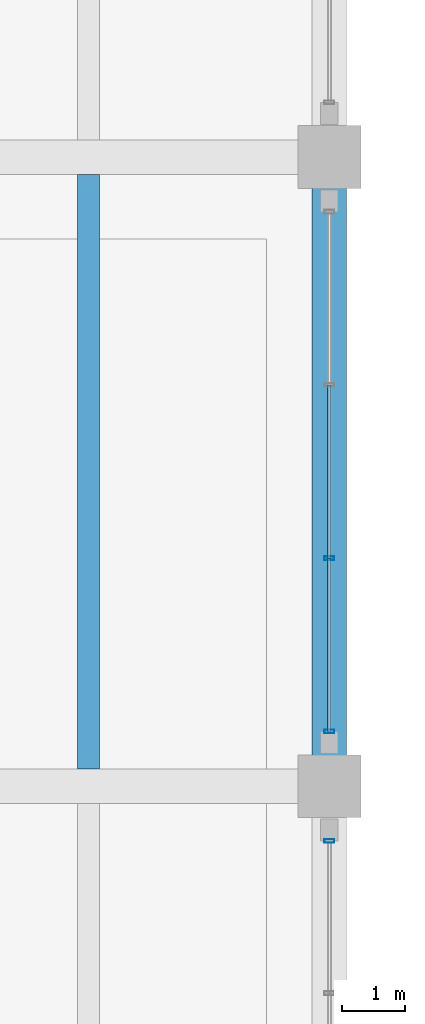
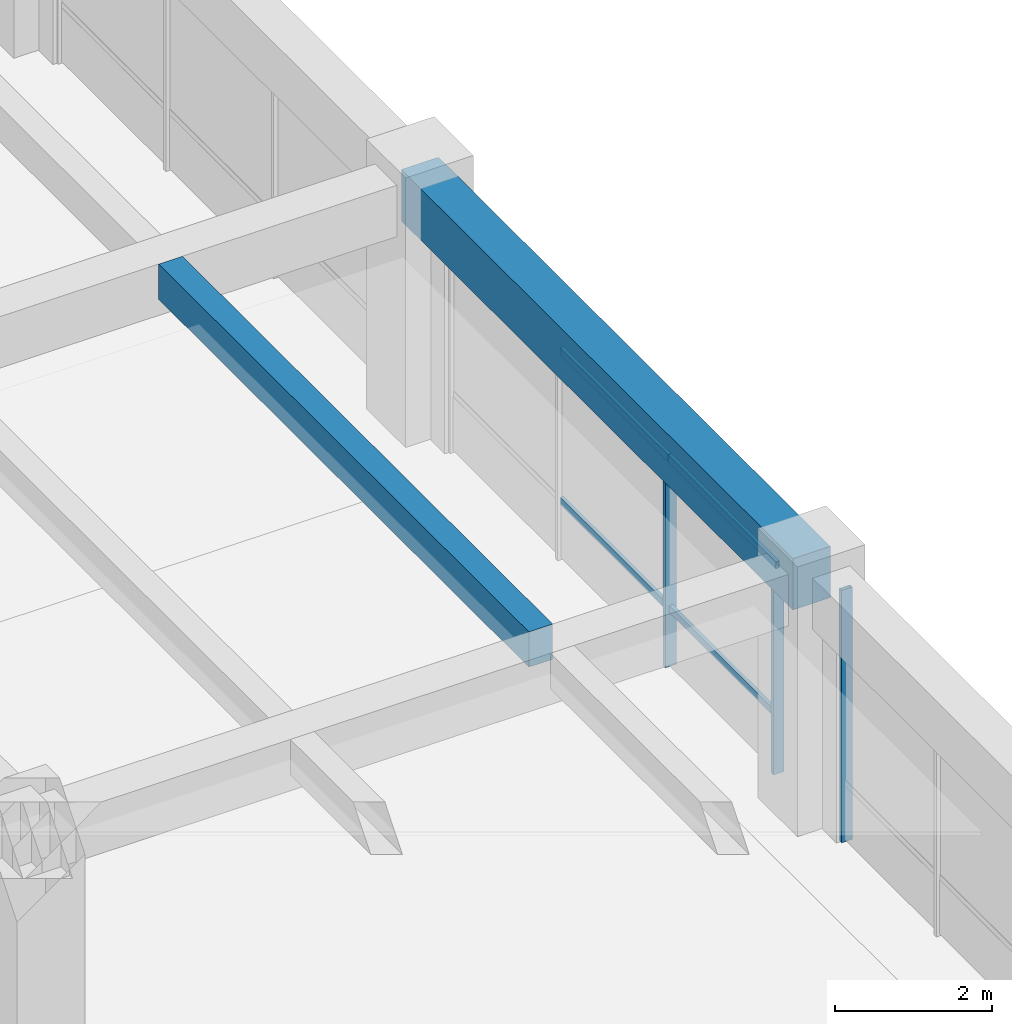
# One storey, part 33 of 98: 7 members, 2 beams, 2 elements without a shape of their own.
"""IFC4 building model written with IfcOpenShell, lengths in metres."""

import ifcopenshell
import ifcopenshell.guid

model = None  # the IFC model being written
_history = None  # IfcOwnerHistory: only IFC2X3 demands one
_inside = {}  # id of a spatial element -> (the spatial element, [elements in it])
_under = {}  # id of a project, library or spatial element -> (it, [spatial elements below it])
_declared = {}  # id of a project -> (the project, [libraries it declares])
_typed = {}  # id of a type object -> (the type object, [elements of that type])
_made_of = {}  # id of a material, layer set ... -> (it, [elements and type objects made of it])


def new_model(schema):
    """Start an empty IFC model of exactly this schema.

    Asked for "IFC4X3", IfcOpenShell would pick the latest addendum, in which some entities
    have other attributes; the version numbers below select the first issue.
    IFC2X3 requires an IfcOwnerHistory on every rooted entity: one is made here for all.
    """
    global model, _history
    if schema == "IFC4X3":
        model = ifcopenshell.file(schema_version=(4, 3, 0, 0))
    else:
        model = ifcopenshell.file(schema=schema)
    _inside.clear()
    _under.clear()
    _declared.clear()
    _typed.clear()
    _made_of.clear()
    _history = None
    if model.schema == "IFC2X3":
        org = make("IfcOrganization", Name="unknown")
        user = make(
            "IfcPersonAndOrganization",
            ThePerson=make("IfcPerson", FamilyName="unknown"),
            TheOrganization=org,
        )
        app = make(
            "IfcApplication",
            ApplicationDeveloper=org,
            Version="unknown",
            ApplicationFullName="unknown",
            ApplicationIdentifier="unknown",
        )
        _history = make(
            "IfcOwnerHistory",
            OwningUser=user,
            OwningApplication=app,
            ChangeAction="ADDED",
            CreationDate=0,
        )
    return model


def make(cls, **values):
    """One entity of the class cls with the attributes given. An attribute that is None is left unset."""
    return model.create_entity(
        cls, **{name: value for name, value in values.items() if value is not None}
    )


def rooted(cls, **values):
    """An entity with a GlobalId (a new one), such as an element, a storey or a relation."""
    return make(cls, GlobalId=ifcopenshell.guid.new(), OwnerHistory=_history, **values)


def si_unit(unit_type, name, prefix=None):
    """IfcSIUnit, for example si_unit("LENGTHUNIT", "METRE", prefix="MILLI")."""
    return make("IfcSIUnit", UnitType=unit_type, Prefix=prefix, Name=name)


def assignment(units):
    """IfcUnitAssignment: the units of a project."""
    return None if units is None else make("IfcUnitAssignment", Units=units)


def point(xyz):
    """IfcCartesianPoint."""
    return None if xyz is None else make("IfcCartesianPoint", Coordinates=xyz)


def direction(xyz):
    """IfcDirection."""
    return None if xyz is None else make("IfcDirection", DirectionRatios=xyz)


def frame(location, z_axis=None, x_axis=None):
    """IfcAxis2Placement3D, a coordinate frame: its origin and axes. An axis left out is left unset."""
    return make(
        "IfcAxis2Placement3D",
        Location=point(location),
        Axis=direction(z_axis),
        RefDirection=direction(x_axis),
    )


def frame_2d(location, x_axis=None):
    """IfcAxis2Placement2D, a coordinate frame in the plane: its origin and x axis."""
    return make(
        "IfcAxis2Placement2D", Location=point(location), RefDirection=direction(x_axis)
    )


def origin():
    """The frame at (0, 0, 0) with its axes left unset."""
    return frame((0.0, 0.0, 0.0))


def origin_2d():
    """The frame at (0, 0) in the plane with its x axis left unset."""
    return frame_2d((0.0, 0.0))


def place(relative_to, where):
    """IfcLocalPlacement: puts the frame where relative to a parent placement (None: the world)."""
    return make(
        "IfcLocalPlacement", PlacementRelTo=relative_to, RelativePlacement=where
    )


def context(
    kind, dimensions, precision=None, world=None, true_north=None, identifier=None
):
    """IfcGeometricRepresentationContext, for example the 3D "Model" context."""
    return make(
        "IfcGeometricRepresentationContext",
        ContextIdentifier=identifier,
        ContextType=kind,
        CoordinateSpaceDimension=dimensions,
        Precision=precision,
        WorldCoordinateSystem=world,
        TrueNorth=true_north,
    )


def subcontext(parent, identifier, kind, view, scale=None):
    """IfcGeometricRepresentationSubContext, for example "Body" below "Model"."""
    return make(
        "IfcGeometricRepresentationSubContext",
        ContextIdentifier=identifier,
        ContextType=kind,
        ParentContext=parent,
        TargetScale=scale,
        TargetView=view,
    )


def project(units=None, contexts=None):
    """IfcProject with its units and contexts."""
    return rooted(
        "IfcProject",
        Name="project",
        RepresentationContexts=contexts,
        UnitsInContext=assignment(units),
    )


def spatial(cls, under=None, at=None, **own):
    """A site, building, storey or space (cls), placed at a placement, below another one or the project."""
    s = rooted(cls, ObjectPlacement=at, **own)
    if under is not None:
        _under.setdefault(under.id(), (under, []))[1].append(s)
    return s


def profile(cls, at=None, kind="AREA", **sizes):
    """A parametric profile (cls). Its sizes go by their IFC names, for example OverallWidth=200.0."""
    return make(cls, ProfileType=kind, Position=at, **sizes)


def rectangle(**sizes):
    """IfcRectangleProfileDef."""
    return profile("IfcRectangleProfileDef", **sizes)


def hollow_rectangle(**sizes):
    """IfcRectangleHollowProfileDef."""
    return profile("IfcRectangleHollowProfileDef", **sizes)


def extrude(swept, where, along, depth):
    """IfcExtrudedAreaSolid: the profile swept, set in the frame where, extruded along a direction by depth."""
    return make(
        "IfcExtrudedAreaSolid",
        SweptArea=swept,
        Position=where,
        ExtrudedDirection=direction(along),
        Depth=depth,
    )


def shape(context_of_items, identifier, shape_type, items):
    """IfcShapeRepresentation: the items that make up one representation, for example the "Body"."""
    return make(
        "IfcShapeRepresentation",
        ContextOfItems=context_of_items,
        RepresentationIdentifier=identifier,
        RepresentationType=shape_type,
        Items=items,
    )


def material(Name=None, Category=None):
    """IfcMaterial."""
    return make("IfcMaterial", Name=Name, Category=Category)


def material_profile(
    of_material, cross_section, Name=None, Category=None, Priority=None
):
    """IfcMaterialProfile: a cross section and its material."""
    return make(
        "IfcMaterialProfile",
        Name=Name,
        Material=of_material,
        Profile=cross_section,
        Priority=Priority,
        Category=Category,
    )


def profile_set(profiles, Name=None, composite=None):
    """IfcMaterialProfileSet."""
    return make(
        "IfcMaterialProfileSet",
        Name=Name,
        MaterialProfiles=profiles,
        CompositeProfile=composite,
    )


def made_of(thing, what):
    """Note that an element or type object is made of a material, layer set ...; save() writes the relation."""
    if what is not None:
        _made_of.setdefault(what.id(), (what, []))[1].append(thing)
    return thing


def type_object(cls, material=None, **own):
    """A type object (cls), such as IfcWallType, which elements share."""
    return made_of(rooted(cls, **own), material)


def element(
    cls,
    number,
    at=None,
    inside=None,
    cuts=None,
    type_object=None,
    material=None,
    context=None,
    identifier="Body",
    shape_type=None,
    held_by="IfcProductDefinitionShape",
    body=None,
    shapes=None,
    **own,
):
    """One element of the class cls, such as IfcWall. Its Tag is "e" and its number.

    at: its placement. inside: the storey or other place that contains it. cuts: it is an
    opening in that element (IfcRelVoidsElement). A single representation is given by context,
    identifier, shape_type and body (its items); several are given by shapes. held_by: the class
    of the entity that holds the representations. save() writes the other relations.
    """
    e = rooted(cls, Tag="e%d" % number, ObjectPlacement=at, **own)
    if body is not None:
        shapes = [shape(context, identifier, shape_type, body)]
    if shapes is not None:
        e.Representation = make(held_by, Representations=shapes)
    if inside is not None:
        _inside.setdefault(inside.id(), (inside, []))[1].append(e)
    if cuts is not None:
        rooted(
            "IfcRelVoidsElement", RelatingBuildingElement=cuts, RelatedOpeningElement=e
        )
    if type_object is not None:
        _typed.setdefault(type_object.id(), (type_object, []))[1].append(e)
    return made_of(e, material)


def aggregate(whole, parts):
    """IfcRelAggregates: a whole, such as a stair, and the parts it consists of."""
    return rooted("IfcRelAggregates", RelatingObject=whole, RelatedObjects=parts)


def save(model, path):
    """Write the relations noted so far, then the file.

    IfcRelAggregates (storeys below a building ...), IfcRelContainedInSpatialStructure (elements
    in a storey), IfcRelDefinesByType, IfcRelAssociatesMaterial and IfcRelDeclares: one each for
    every whole, place, type object, material and project.
    """
    for whole, parts in _under.values():
        aggregate(whole, parts)
    for where, things in _inside.values():
        rooted(
            "IfcRelContainedInSpatialStructure",
            RelatedElements=things,
            RelatingStructure=where,
        )
    for kind, things in _typed.values():
        rooted("IfcRelDefinesByType", RelatedObjects=things, RelatingType=kind)
    for what, things in _made_of.values():
        rooted("IfcRelAssociatesMaterial", RelatedObjects=things, RelatingMaterial=what)
    for by, libraries in _declared.values():
        rooted("IfcRelDeclares", RelatingContext=by, RelatedDefinitions=libraries)
    model.write(path)


model = new_model("IFC4")

# Units and contexts
model_context = context("Model", 3, precision=1e-05, world=origin(), true_north=direction((0.0, 1.0)))
body_context = subcontext(model_context, "Body", "Model", "MODEL_VIEW")
ifc_project = project(units=[si_unit("LENGTHUNIT", "METRE"), si_unit("AREAUNIT", "SQUARE_METRE"), si_unit("VOLUMEUNIT", "CUBIC_METRE"), si_unit("PLANEANGLEUNIT", "RADIAN"), si_unit("MASSUNIT", "GRAM", prefix="KILO")], contexts=[model_context])

# Site, building, storey
site_placement = place(None, origin())
site = spatial("IfcSite", under=ifc_project, at=site_placement, CompositionType="ELEMENT")
building_placement = place(site_placement, origin())
building = spatial("IfcBuilding", under=site, at=building_placement, Name="Ologun Quay Terminus", CompositionType="ELEMENT")
storey_placement = place(building_placement, frame((0.0, 0.0, 4.199951171875)))
storey = spatial("IfcBuildingStorey", under=building, at=storey_placement, Name="L01", CompositionType="ELEMENT", Elevation=4.199951171875)

# Curtain wall, member
ifc_material_1 = material(Name="Aluminium 6063-T6", Category="aluminium")
curtain_wall_type = type_object("IfcCurtainWallType", Name="Rain-Garden West Courtyard Curtain Wall L01 8200x3850", PredefinedType="USERDEFINED", material=ifc_material_1)
curtain_wall_1_placement = place(storey_placement, origin())
curtain_wall_1 = element("IfcCurtainWall", 1, at=curtain_wall_1_placement, inside=storey, type_object=curtain_wall_type, Name="CW-14 Curtain Wall CW-L01-099", ObjectType="UNITISED CURTAIN WALL", PredefinedType="USERDEFINED")
ifc_material_2 = material(Name="Aluminium 6063-T6", Category="aluminium")
ifc_material_profile_1 = material_profile(ifc_material_2, hollow_rectangle(XDim=0.06005859375, YDim=0.159912109375, WallThickness=0.00390625, at=origin_2d()), Name="ALU 160x60x4")
ifc_profile_set_1 = profile_set([ifc_material_profile_1], Name="Aluminium 6063-T6")
member_type_1 = type_object("IfcMemberType", Name="Courtyard Screen Mullion 160x65", PredefinedType="MULLION", material=ifc_profile_set_1)
member_1_placement = place(storey_placement, frame((69.0, 93.929931640625, 0.0), z_axis=(0.0, 0.0, 1.0), x_axis=(0.0, 1.0, 0.0)))
member_1 = element("IfcMember", 2, at=member_1_placement, type_object=member_type_1, Name="CW-L01-099 Mullion 4", PredefinedType="MULLION", context=body_context, shape_type="SweptSolid", body=[
    extrude(hollow_rectangle(XDim=0.06005859375, YDim=0.159912109375, WallThickness=0.00390625, at=origin_2d()), origin(), (0.0, 0.0, 1.0), 3.929931640625),
])
aggregate(curtain_wall_1, [member_1])

# Curtain wall, members
curtain_wall_2_placement = place(storey_placement, origin())
curtain_wall_2 = element("IfcCurtainWall", 3, at=curtain_wall_2_placement, inside=storey, type_object=curtain_wall_type, Name="CW-14 Curtain Wall CW-L01-100", ObjectType="UNITISED CURTAIN WALL", PredefinedType="USERDEFINED")
member_2_placement = place(storey_placement, frame((69.0, 95.669921875, 0.0), z_axis=(0.0, 0.0, 1.0), x_axis=(0.0, 1.0, 0.0)))
member_2 = element("IfcMember", 4, at=member_2_placement, type_object=member_type_1, Name="CW-L01-100 Mullion 1", PredefinedType="MULLION", context=body_context, shape_type="SweptSolid", body=[
    extrude(hollow_rectangle(XDim=0.06005859375, YDim=0.159912109375, WallThickness=0.00390625, at=origin_2d()), origin(), (0.0, 0.0, 1.0), 3.929931640625),
])
member_3_placement = place(storey_placement, frame((69.0, 98.42333984375, 0.0), z_axis=(0.0, 0.0, 1.0), x_axis=(0.0, 1.0, 0.0)))
member_3 = element("IfcMember", 5, at=member_3_placement, type_object=member_type_1, Name="CW-L01-100 Mullion 2", PredefinedType="MULLION", context=body_context, shape_type="SweptSolid", body=[
    extrude(hollow_rectangle(XDim=0.06005859375, YDim=0.159912109375, WallThickness=0.00390625, at=origin_2d()), origin(), (0.0, 0.0, 1.0), 3.929931640625),
])
ifc_material_3 = material(Name="Aluminium 6063-T6", Category="aluminium")
ifc_material_profile_2 = material_profile(ifc_material_3, hollow_rectangle(XDim=0.054931640625, YDim=0.110107421875, WallThickness=0.00390625, at=origin_2d()), Name="ALU 110x55x4")
ifc_profile_set_2 = profile_set([ifc_material_profile_2], Name="Aluminium 6063-T6")
member_type_2 = type_object("IfcMemberType", Name="Courtyard Screen Transom 110x55", PredefinedType="USERDEFINED", material=ifc_profile_set_2)
member_4_placement = place(storey_placement, frame((69.0, 95.669921875, 0.900146484375), z_axis=(0.0, 1.0, 0.0), x_axis=(-1.0, 0.0, 0.0)))
member_4 = element("IfcMember", 6, at=member_4_placement, type_object=member_type_2, Name="CW-L01-100 Transom B1-1", ObjectType="TRANSOM", PredefinedType="USERDEFINED", context=body_context, shape_type="SweptSolid", body=[
    extrude(hollow_rectangle(XDim=0.054931640625, YDim=0.110107421875, WallThickness=0.00390625, at=origin_2d()), origin(), (0.0, 0.0, 1.0), 2.75341796875),
])
member_5_placement = place(storey_placement, frame((69.0, 95.669921875, 3.22998046875), z_axis=(0.0, 1.0, 0.0), x_axis=(-1.0, 0.0, 0.0)))
member_5 = element("IfcMember", 7, at=member_5_placement, type_object=member_type_2, Name="CW-L01-100 Transom B1-2", ObjectType="TRANSOM", PredefinedType="USERDEFINED", context=body_context, shape_type="SweptSolid", body=[
    extrude(hollow_rectangle(XDim=0.054931640625, YDim=0.110107421875, WallThickness=0.00390625, at=origin_2d()), origin(), (0.0, 0.0, 1.0), 2.75341796875),
])
member_6_placement = place(storey_placement, frame((69.0, 98.42333984375, 0.900146484375), z_axis=(0.0, 1.0, 0.0), x_axis=(-1.0, 0.0, 0.0)))
member_6 = element("IfcMember", 8, at=member_6_placement, type_object=member_type_2, Name="CW-L01-100 Transom B2-1", ObjectType="TRANSOM", PredefinedType="USERDEFINED", context=body_context, shape_type="SweptSolid", body=[
    extrude(hollow_rectangle(XDim=0.054931640625, YDim=0.110107421875, WallThickness=0.00390625, at=origin_2d()), origin(), (0.0, 0.0, 1.0), 2.75341796875),
])
member_7_placement = place(storey_placement, frame((69.0, 98.42333984375, 3.22998046875), z_axis=(0.0, 1.0, 0.0), x_axis=(-1.0, 0.0, 0.0)))
member_7 = element("IfcMember", 9, at=member_7_placement, type_object=member_type_2, Name="CW-L01-100 Transom B2-2", ObjectType="TRANSOM", PredefinedType="USERDEFINED", context=body_context, shape_type="SweptSolid", body=[
    extrude(hollow_rectangle(XDim=0.054931640625, YDim=0.110107421875, WallThickness=0.00390625, at=origin_2d()), origin(), (0.0, 0.0, 1.0), 2.75341796875),
])
aggregate(curtain_wall_2, [member_2, member_3, member_4, member_5, member_6, member_7])

# Beams
ifc_material_4 = material(Name="Concrete C40/50", Category="concrete")
ifc_material_profile_3 = material_profile(ifc_material_4, rectangle(XDim=0.550048828125, YDim=0.800048828125, at=origin_2d()), Name="RC 550x800")
ifc_profile_set_3 = profile_set([ifc_material_profile_3], Name="Concrete C40/50")
beam_type_1 = type_object("IfcBeamType", Name="Courtyard Wing Primary Girder 550x800", PredefinedType="BEAM", material=ifc_profile_set_3)
beam_1_placement = place(storey_placement, frame((69.0, 94.800048828125, 3.550048828125), z_axis=(0.0, 1.0, 0.0), x_axis=(-1.0, 0.0, 0.0)))
element("IfcBeam", 10, at=beam_1_placement, inside=storey, type_object=beam_type_1, Name="B4 Beam 7/H L01", PredefinedType="BEAM", context=body_context, shape_type="SweptSolid", body=[
    extrude(rectangle(XDim=0.550048828125, YDim=0.800048828125, at=origin_2d()), origin(), (0.0, 0.0, 1.0), 10.0),
])
ifc_material_5 = material(Name="Concrete C40/50", Category="concrete")
ifc_material_profile_4 = material_profile(ifc_material_5, rectangle(XDim=0.35009765625, YDim=0.550048828125, at=origin_2d()), Name="RC 350x550")
ifc_profile_set_4 = profile_set([ifc_material_profile_4], Name="Concrete C40/50")
beam_type_2 = type_object("IfcBeamType", Name="Courtyard Wing Secondary Joist 350x550", PredefinedType="JOIST", material=ifc_profile_set_4)
beam_2_placement = place(storey_placement, frame((65.166748046875, 95.074951171875, 3.675048828125), z_axis=(0.0, 1.0, 0.0), x_axis=(-1.0, 0.0, 0.0)))
element("IfcBeam", 11, at=beam_2_placement, inside=storey, type_object=beam_type_2, Name="J2 Beam 6/H L01", PredefinedType="JOIST", context=body_context, shape_type="SweptSolid", body=[
    extrude(rectangle(XDim=0.35009765625, YDim=0.550048828125, at=origin_2d()), origin(), (0.0, 0.0, 1.0), 9.449951171875),
])

save(model, "model.ifc")
